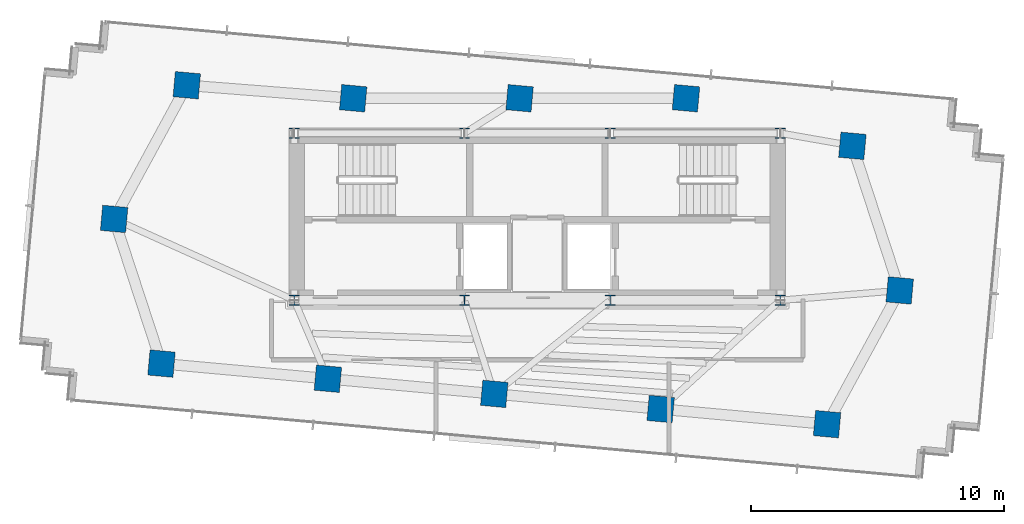
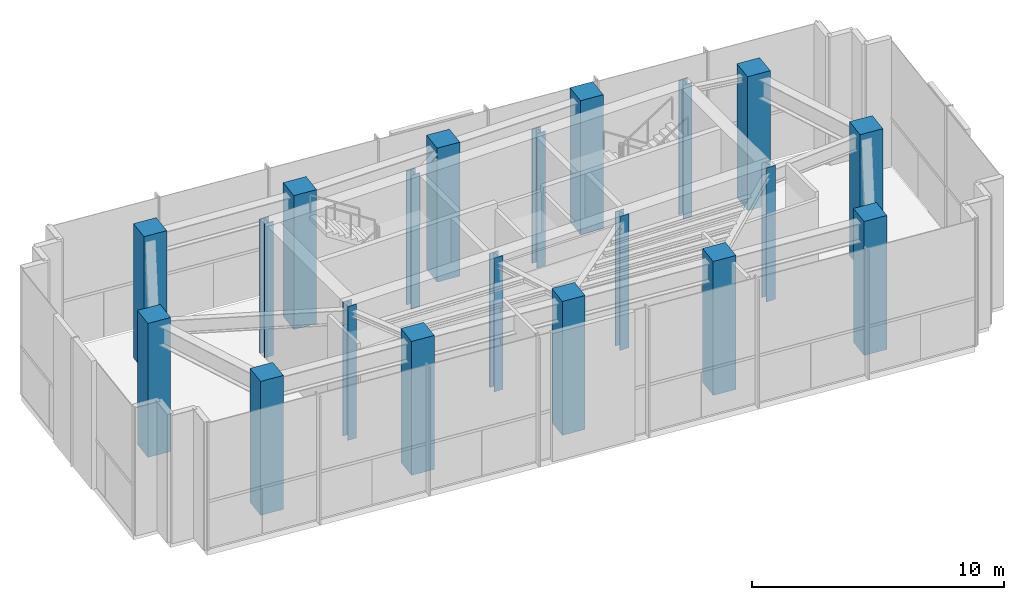
# One storey, part 1 of 18: 20 columns.
"""IFC4 building model written with IfcOpenShell, lengths in metres."""

from ifc_helpers import new_model, si_unit, direction, frame, origin, origin_2d, place, context, subcontext, project, spatial, rectangle, i_section, extrude, source, transform, mapped, material, material_profile, profile_set, type_object, type_shapes, element, save


model = new_model("IFC4")

# Units and contexts
model_context = context("Model", 3, precision=1e-05, world=origin(), true_north=direction((0.0, 1.0)))
body_context = subcontext(model_context, "Body", "Model", "MODEL_VIEW")
ifc_project = project(units=[si_unit("LENGTHUNIT", "METRE"), si_unit("AREAUNIT", "SQUARE_METRE"), si_unit("VOLUMEUNIT", "CUBIC_METRE"), si_unit("PLANEANGLEUNIT", "RADIAN"), si_unit("MASSUNIT", "GRAM", prefix="KILO")], contexts=[model_context])

# Site, building, storey
site_placement = place(None, origin())
site = spatial("IfcSite", under=ifc_project, at=site_placement, CompositionType="ELEMENT")
building_placement = place(site_placement, origin())
building = spatial("IfcBuilding", under=site, at=building_placement, Name="Astriad Promenade Condominiums", CompositionType="ELEMENT")
storey_placement = place(building_placement, frame((0.0, 0.0, 277.300048828125)))
storey = spatial("IfcBuildingStorey", under=building, at=storey_placement, Name="L78", CompositionType="ELEMENT", Elevation=277.300048828125)

# Columns
ifc_material_1 = material(Name="Steel ASTM A992 Grade 50", Category="steel")
ifc_material_profile_1 = material_profile(ifc_material_1, i_section(OverallWidth=0.403564453125, OverallDepth=0.407470703125, WebThickness=0.027099609375, FlangeThickness=0.043701171875, FilletRadius=0.017822265625, at=origin_2d()), Name="W14X233")
ifc_profile_set_1 = profile_set([ifc_material_profile_1], Name="Steel ASTM A992 Grade 50")
column_type_1 = type_object("IfcColumnType", Name="STEEL CORE PILASTER W14X233", PredefinedType="PILASTER", material=ifc_profile_set_1)
shared_shape_1 = source(origin(), body_context, "Body", "SweptSolid", [
    extrude(i_section(OverallWidth=0.403564453125, OverallDepth=0.407470703125, WebThickness=0.027099609375, FlangeThickness=0.043701171875, FilletRadius=0.017822265625, at=origin_2d()), origin(), (0.0, 0.0, 1.0), 6.49609375),
])
type_shapes(column_type_1, [shared_shape_1])
for number, where, z_axis, x_axis, name in (
    (1, (26.39990234375, 17.39990234375, 0.001953125), (0.0, 0.0, 1.0), (1.0, 0.0, 0.0), "Core Pilaster Column CP1 (L78)"),
    (2, (33.1201171875, 17.39990234375, 0.001953125), (0.0, 0.0, 1.0), (1.0, 0.0, 0.0), "Core Pilaster Column CP2 (L78)"),
    (3, (38.8798828125, 17.39990234375, 0.001953125), (0.0, 0.0, 1.0), (1.0, 0.0, 0.0), "Core Pilaster Column CP3 (L78)"),
    (4, (45.60009765625, 17.39990234375, 0.001953125), (0.0, 0.0, 1.0), (1.0, 0.0, 0.0), "Core Pilaster Column CP4 (L78)"),
    (5, (26.39990234375, 24.0, 0.001953125), (0.0, 0.0, 1.0), (1.0, 0.0, 0.0), "Core Pilaster Column CP5 (L78)"),
    (6, (33.1201171875, 24.0, 0.001953125), (0.0, 0.0, 1.0), (1.0, 0.0, 0.0), "Core Pilaster Column CP6 (L78)"),
    (7, (38.8798828125, 24.0, 0.001953125), (0.0, 0.0, 1.0), (1.0, 0.0, 0.0), "Core Pilaster Column CP7 (L78)"),
    (8, (45.60009765625, 24.0, 0.001953125), (0.0, 0.0, 1.0), (1.0, 0.0, 0.0), "Core Pilaster Column CP8 (L78)"),
):
    element("IfcColumn", number, at=place(storey_placement, frame(where, z_axis=z_axis, x_axis=x_axis)), inside=storey, type_object=column_type_1, Name=name, PredefinedType="PILASTER", context=body_context, shape_type="MappedRepresentation", body=[
        mapped(shared_shape_1, transform((0.0, 0.0, 0.0), scale=1.0)),
    ])
ifc_material_2 = material(Name="Concrete C60/75", Category="concrete")
ifc_material_profile_2 = material_profile(ifc_material_2, rectangle(XDim=1.0, YDim=1.0, at=origin_2d()), Name="RC-COL-1000X1000")
ifc_profile_set_2 = profile_set([ifc_material_profile_2], Name="Concrete C60/75")
column_type_2 = type_object("IfcColumnType", Name="CONCRETE TOWER COLUMN 1000X1000", PredefinedType="COLUMN", material=ifc_profile_set_2)
shared_shape_2 = source(origin(), body_context, "Body", "SweptSolid", [
    extrude(rectangle(XDim=1.0, YDim=1.0, at=origin_2d()), origin(), (0.0, 0.0, 1.0), 6.49609375),
])
type_shapes(column_type_2, [shared_shape_2])
for number, where, z_axis, x_axis, name in (
    (9, (21.154052734375, 14.899169921875, 0.001953125), (0.0, 0.0, 1.0), (0.995884398616, -0.090632580198, 0.0), "Perimeter Column PC01 (L78)"),
    (10, (27.726806640625, 14.30078125, 0.001953125), (0.0, 0.0, 1.0), (0.995884398616, -0.090632580198, 0.0), "Perimeter Column PC02 (L78)"),
    (11, (34.2998046875, 13.70263671875, 0.001953125), (0.0, 0.0, 1.0), (0.995884398616, -0.090632580198, 0.0), "Perimeter Column PC03 (L78)"),
    (12, (40.87255859375, 13.1044921875, 0.001953125), (0.0, 0.0, 1.0), (0.995884398616, -0.090632580198, 0.0), "Perimeter Column PC04 (L78)"),
    (13, (47.4453125, 12.50634765625, 0.001953125), (0.0, 0.0, 1.0), (0.995884398616, -0.090632580198, 0.0), "Perimeter Column PC05 (L78)"),
    (14, (22.154541015625, 25.8935546875, 0.001953125), (0.0, 0.0, 1.0), (0.995884398616, -0.090632580198, 0.0), "Perimeter Column PC06 (L78)"),
    (15, (28.7275390625, 25.3798828125, 0.001953125), (0.0, 0.0, 1.0), (0.995884398616, -0.090632580198, 0.0), "Perimeter Column PC07 (L78)"),
    (16, (35.30029296875, 25.3798828125, 0.001953125), (0.0, 0.0, 1.0), (0.995884398616, -0.090632580198, 0.0), "Perimeter Column PC08 (L78)"),
    (17, (41.873046875, 25.3798828125, 0.001953125), (0.0, 0.0, 1.0), (0.995884398616, -0.090632580198, 0.0), "Perimeter Column PC09 (L78)"),
    (18, (48.446044921875, 23.5009765625, 0.001953125), (0.0, 0.0, 1.0), (0.995884398616, -0.090632580198, 0.0), "Perimeter Column PC10 (L78)"),
    (19, (19.2841796875, 20.612060546875, 0.001953125), (0.0, 0.0, 1.0), (0.995884398616, -0.090632580198, 0.0), "Perimeter Column PC11 (L78)"),
    (20, (50.31591796875, 17.787841796875, 0.001953125), (0.0, 0.0, 1.0), (0.995884398616, -0.090632580198, 0.0), "Perimeter Column PC12 (L78)"),
):
    element("IfcColumn", number, at=place(storey_placement, frame(where, z_axis=z_axis, x_axis=x_axis)), inside=storey, type_object=column_type_2, Name=name, PredefinedType="COLUMN", context=body_context, shape_type="MappedRepresentation", body=[
        mapped(shared_shape_2, transform((0.0, 0.0, 0.0), scale=1.0)),
    ])

save(model, "model.ifc")
